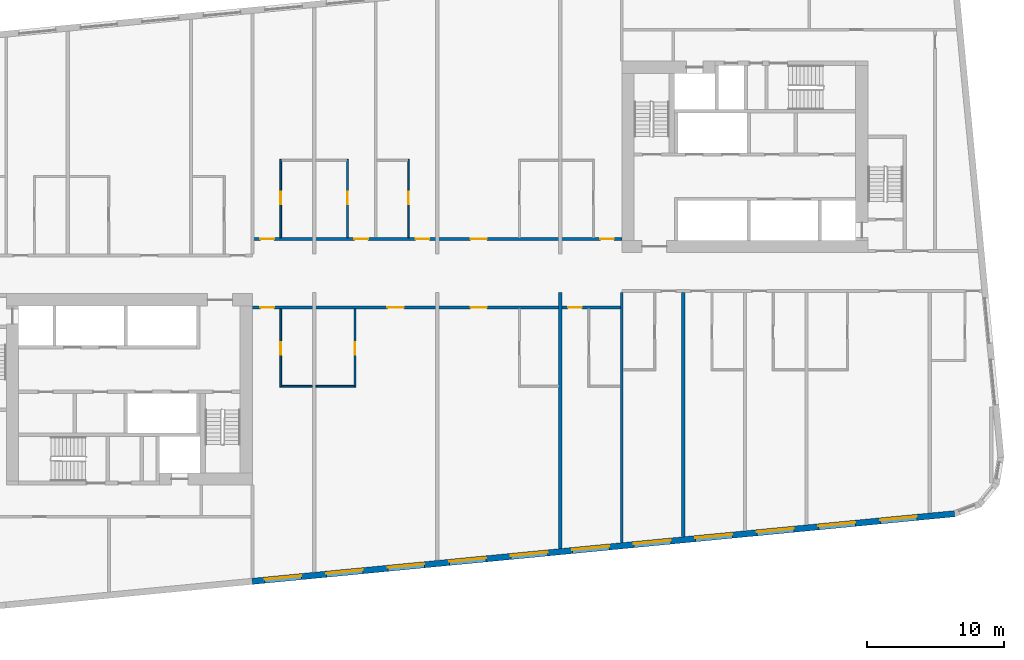
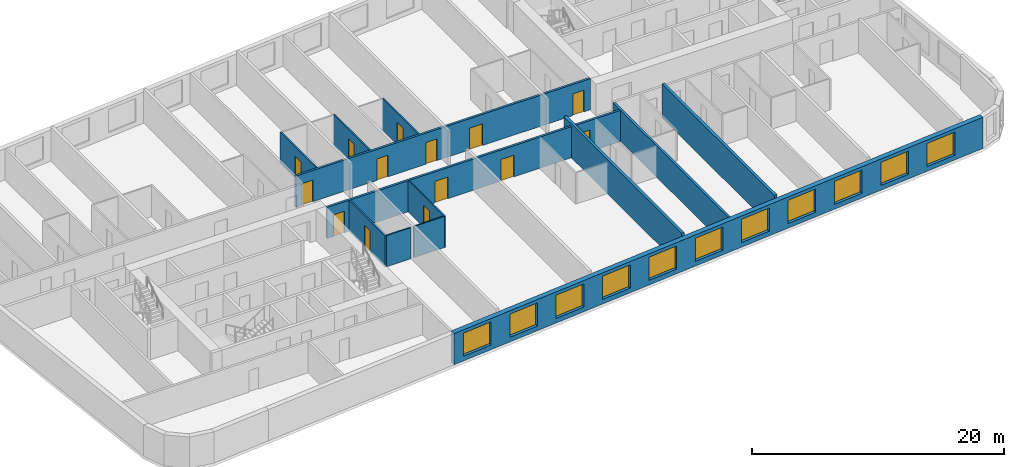
# One storey, part 4 of 12: 14 doors, 13 walls, 11 windows, 25 openings.
"""IFC4 building model written with IfcOpenShell, lengths in metres."""

from ifc_helpers import new_model, si_unit, direction, frame, frame_2d, origin, place, context, subcontext, project, spatial, rectangle, extrude, material, layer, layer_set, type_object, element, fill, save


model = new_model("IFC4")

# Units and contexts
model_context = context("Model", 3, precision=1e-05, world=origin(), true_north=direction((0.0, 1.0)))
body_context = subcontext(model_context, "Body", "Model", "MODEL_VIEW")
ifc_project = project(units=[si_unit("LENGTHUNIT", "METRE"), si_unit("AREAUNIT", "SQUARE_METRE"), si_unit("VOLUMEUNIT", "CUBIC_METRE"), si_unit("PLANEANGLEUNIT", "RADIAN"), si_unit("MASSUNIT", "GRAM", prefix="KILO")], contexts=[model_context])

# Site, building, storey
site_placement = place(None, origin())
site = spatial("IfcSite", under=ifc_project, at=site_placement, CompositionType="ELEMENT")
building_placement = place(site_placement, origin())
building = spatial("IfcBuilding", under=site, at=building_placement, Name="Kajstack Hotel Tower", CompositionType="ELEMENT")
storey_placement = place(building_placement, frame((0.0, 0.0, 170.199951171875)))
storey = spatial("IfcBuildingStorey", under=building, at=storey_placement, Name="L39", CompositionType="ELEMENT", Elevation=170.199951171875)

# Wall, openings, doors
ifc_material_1 = material(Name="Gypsum board on steel studs, mineral wool", Category="steel")
ifc_layer_1 = layer(ifc_material_1, 0.199951171875)
ifc_layer_set_1 = layer_set([ifc_layer_1], Name="Corridor wall 200")
wall_type_1 = type_object("IfcWallType", Name="Corridor wall 200", PredefinedType="PARTITIONING", material=ifc_layer_set_1)
wall_1_placement = place(storey_placement, frame((-13.5, 2.5, 0.0), z_axis=(0.0, 0.0, 1.0), x_axis=(1.0, 0.0, 0.0)))
wall_1 = element("IfcWall", 1, at=wall_1_placement, inside=storey, type_object=wall_type_1, Name="G-wall-L39-004", PredefinedType="PARTITIONING", context=body_context, shape_type="SweptSolid", body=[
    extrude(rectangle(XDim=27.0, YDim=0.199951171875, at=frame_2d((13.5, 0.0))), origin(), (0.0, 0.0, 1.0), 3.02001953125),
])
opening_1_placement = place(wall_1_placement, frame((0.574951171875, 0.0, 0.0)))
opening_1 = element("IfcOpeningElement", 2, at=opening_1_placement, cuts=wall_1, Name="Opening 39013", PredefinedType="OPENING", context=body_context, shape_type="SweptSolid", body=[
    extrude(rectangle(XDim=1.0, YDim=2.10009765625, at=frame_2d((0.5, 1.050048828125))), frame((0.0, 0.10986328125, 0.0), z_axis=(0.0, -1.0, 0.0), x_axis=(1.0, 0.0, 0.0)), (0.0, 0.0, 1.0), 0.219970703125),
])
opening_2_placement = place(wall_1_placement, frame((7.449951171875, 0.0, 0.0)))
opening_2 = element("IfcOpeningElement", 3, at=opening_2_placement, cuts=wall_1, Name="Opening 39015", PredefinedType="OPENING", context=body_context, shape_type="SweptSolid", body=[
    extrude(rectangle(XDim=1.0, YDim=2.10009765625, at=frame_2d((0.5, 1.050048828125))), frame((0.0, 0.10986328125, 0.0), z_axis=(0.0, -1.0, 0.0), x_axis=(1.0, 0.0, 0.0)), (0.0, 0.0, 1.0), 0.219970703125),
])
opening_3_placement = place(wall_1_placement, frame((11.925048828125, 0.0, 0.0)))
opening_3 = element("IfcOpeningElement", 4, at=opening_3_placement, cuts=wall_1, Name="Opening 39017", PredefinedType="OPENING", context=body_context, shape_type="SweptSolid", body=[
    extrude(rectangle(XDim=1.0, YDim=2.10009765625, at=frame_2d((0.5, 1.050048828125))), frame((0.0, 0.10986328125, 0.0), z_axis=(0.0, -1.0, 0.0), x_axis=(1.0, 0.0, 0.0)), (0.0, 0.0, 1.0), 0.219970703125),
])
opening_4_placement = place(wall_1_placement, frame((15.93798828125, 0.0, 0.0)))
opening_4 = element("IfcOpeningElement", 5, at=opening_4_placement, cuts=wall_1, Name="Opening 39019", PredefinedType="OPENING", context=body_context, shape_type="SweptSolid", body=[
    extrude(rectangle(XDim=1.199951171875, YDim=2.10009765625, at=frame_2d((0.60009765625, 1.050048828125))), frame((0.0, 0.10986328125, 0.0), z_axis=(0.0, -1.0, 0.0), x_axis=(1.0, 0.0, 0.0)), (0.0, 0.0, 1.0), 0.219970703125),
])
opening_5_placement = place(wall_1_placement, frame((25.425048828125, 0.0, 0.0)))
opening_5 = element("IfcOpeningElement", 6, at=opening_5_placement, cuts=wall_1, Name="Opening 39021", PredefinedType="OPENING", context=body_context, shape_type="SweptSolid", body=[
    extrude(rectangle(XDim=1.0, YDim=2.10009765625, at=frame_2d((0.5, 1.050048828125))), frame((0.0, 0.10986328125, 0.0), z_axis=(0.0, -1.0, 0.0), x_axis=(1.0, 0.0, 0.0)), (0.0, 0.0, 1.0), 0.219970703125),
])
ifc_material_2 = material(Name="Oak veneer on timber core, fire-rated leaf", Category="wood")
door_type_1 = type_object("IfcDoorType", Name="Flat entrance door 1000", OperationType="SINGLE_SWING_LEFT", PredefinedType="DOOR", material=ifc_material_2)
door_1_placement = place(opening_1_placement, origin())
door_1 = element("IfcDoor", 7, at=door_1_placement, inside=storey, type_object=door_type_1, Name="G-door-L39-13", OperationType="SINGLE_SWING_RIGHT", OverallHeight=2.10009765625, OverallWidth=1.0, PredefinedType="DOOR", context=body_context, shape_type="SweptSolid", body=[
    extrude(rectangle(XDim=1.0, YDim=2.10009765625, at=frame_2d((0.5, 1.050048828125))), frame((0.0, 0.02490234375, 0.0), z_axis=(0.0, -1.0, 0.0), x_axis=(1.0, 0.0, 0.0)), (0.0, 0.0, 1.0), 0.050048828125),
])
fill(opening_1, door_1)
door_2_placement = place(opening_2_placement, origin())
door_2 = element("IfcDoor", 8, at=door_2_placement, inside=storey, type_object=door_type_1, Name="G-door-L39-15", OperationType="SINGLE_SWING_LEFT", OverallHeight=2.10009765625, OverallWidth=1.0, PredefinedType="DOOR", context=body_context, shape_type="SweptSolid", body=[
    extrude(rectangle(XDim=1.0, YDim=2.10009765625, at=frame_2d((0.5, 1.050048828125))), frame((0.0, 0.02490234375, 0.0), z_axis=(0.0, -1.0, 0.0), x_axis=(1.0, 0.0, 0.0)), (0.0, 0.0, 1.0), 0.050048828125),
])
fill(opening_2, door_2)
door_3_placement = place(opening_3_placement, origin())
door_3 = element("IfcDoor", 9, at=door_3_placement, inside=storey, type_object=door_type_1, Name="G-door-L39-17", OperationType="SINGLE_SWING_RIGHT", OverallHeight=2.10009765625, OverallWidth=1.0, PredefinedType="DOOR", context=body_context, shape_type="SweptSolid", body=[
    extrude(rectangle(XDim=1.0, YDim=2.10009765625, at=frame_2d((0.5, 1.050048828125))), frame((0.0, 0.02490234375, 0.0), z_axis=(0.0, -1.0, 0.0), x_axis=(1.0, 0.0, 0.0)), (0.0, 0.0, 1.0), 0.050048828125),
])
fill(opening_3, door_3)
door_4_placement = place(opening_5_placement, origin())
door_4 = element("IfcDoor", 10, at=door_4_placement, inside=storey, type_object=door_type_1, Name="G-door-L39-21", OperationType="SINGLE_SWING_LEFT", OverallHeight=2.10009765625, OverallWidth=1.0, PredefinedType="DOOR", context=body_context, shape_type="SweptSolid", body=[
    extrude(rectangle(XDim=1.0, YDim=2.10009765625, at=frame_2d((0.5, 1.050048828125))), frame((0.0, 0.02490234375, 0.0), z_axis=(0.0, -1.0, 0.0), x_axis=(1.0, 0.0, 0.0)), (0.0, 0.0, 1.0), 0.050048828125),
])
fill(opening_5, door_4)
door_type_2 = type_object("IfcDoorType", Name="Flat entrance door 1200", OperationType="SINGLE_SWING_LEFT", PredefinedType="DOOR", material=ifc_material_2)
door_5_placement = place(opening_4_placement, origin())
door_5 = element("IfcDoor", 11, at=door_5_placement, inside=storey, type_object=door_type_2, Name="G-door-L39-19", OperationType="SINGLE_SWING_RIGHT", OverallHeight=2.10009765625, OverallWidth=1.199951171875, PredefinedType="DOOR", context=body_context, shape_type="SweptSolid", body=[
    extrude(rectangle(XDim=1.199951171875, YDim=2.10009765625, at=frame_2d((0.60009765625, 1.050048828125))), frame((0.0, 0.02490234375, 0.0), z_axis=(0.0, -1.0, 0.0), x_axis=(1.0, 0.0, 0.0)), (0.0, 0.0, 1.0), 0.050048828125),
])
fill(opening_4, door_5)

wall_2_placement = place(storey_placement, frame((-13.5, -2.5, 0.0), z_axis=(0.0, 0.0, 1.0), x_axis=(1.0, 0.0, 0.0)))
wall_2 = element("IfcWall", 12, at=wall_2_placement, inside=storey, type_object=wall_type_1, Name="G-wall-L39-031", PredefinedType="PARTITIONING", context=body_context, shape_type="SweptSolid", body=[
    extrude(rectangle(XDim=27.0, YDim=0.199951171875, at=frame_2d((13.5, 0.0))), origin(), (0.0, 0.0, 1.0), 3.02001953125),
])
opening_6_placement = place(wall_2_placement, frame((0.574951171875, 0.0, 0.0)))
opening_6 = element("IfcOpeningElement", 13, at=opening_6_placement, cuts=wall_2, Name="Opening 39023", PredefinedType="OPENING", context=body_context, shape_type="SweptSolid", body=[
    extrude(rectangle(XDim=1.0, YDim=2.10009765625, at=frame_2d((0.5, 1.050048828125))), frame((0.0, 0.10986328125, 0.0), z_axis=(0.0, -1.0, 0.0), x_axis=(1.0, 0.0, 0.0)), (0.0, 0.0, 1.0), 0.219970703125),
])
opening_7_placement = place(wall_2_placement, frame((9.863037109375, 0.0, 0.0)))
opening_7 = element("IfcOpeningElement", 14, at=opening_7_placement, cuts=wall_2, Name="Opening 39025", PredefinedType="OPENING", context=body_context, shape_type="SweptSolid", body=[
    extrude(rectangle(XDim=1.199951171875, YDim=2.10009765625, at=frame_2d((0.60009765625, 1.050048828125))), frame((0.0, 0.10986328125, 0.0), z_axis=(0.0, -1.0, 0.0), x_axis=(1.0, 0.0, 0.0)), (0.0, 0.0, 1.0), 0.219970703125),
])
opening_8_placement = place(wall_2_placement, frame((15.93798828125, 0.0, 0.0)))
opening_8 = element("IfcOpeningElement", 15, at=opening_8_placement, cuts=wall_2, Name="Opening 39027", PredefinedType="OPENING", context=body_context, shape_type="SweptSolid", body=[
    extrude(rectangle(XDim=1.199951171875, YDim=2.10009765625, at=frame_2d((0.60009765625, 1.050048828125))), frame((0.0, 0.10986328125, 0.0), z_axis=(0.0, -1.0, 0.0), x_axis=(1.0, 0.0, 0.0)), (0.0, 0.0, 1.0), 0.219970703125),
])
opening_9_placement = place(wall_2_placement, frame((23.074951171875, 0.0, 0.0)))
opening_9 = element("IfcOpeningElement", 16, at=opening_9_placement, cuts=wall_2, Name="Opening 39029", PredefinedType="OPENING", context=body_context, shape_type="SweptSolid", body=[
    extrude(rectangle(XDim=1.0, YDim=2.10009765625, at=frame_2d((0.5, 1.050048828125))), frame((0.0, 0.10986328125, 0.0), z_axis=(0.0, -1.0, 0.0), x_axis=(1.0, 0.0, 0.0)), (0.0, 0.0, 1.0), 0.219970703125),
])
door_6_placement = place(opening_6_placement, origin())
door_6 = element("IfcDoor", 17, at=door_6_placement, inside=storey, type_object=door_type_1, Name="G-door-L39-23", OperationType="SINGLE_SWING_LEFT", OverallHeight=2.10009765625, OverallWidth=1.0, PredefinedType="DOOR", context=body_context, shape_type="SweptSolid", body=[
    extrude(rectangle(XDim=1.0, YDim=2.10009765625, at=frame_2d((0.5, 1.050048828125))), frame((0.0, 0.02490234375, 0.0), z_axis=(0.0, -1.0, 0.0), x_axis=(1.0, 0.0, 0.0)), (0.0, 0.0, 1.0), 0.050048828125),
])
fill(opening_6, door_6)
door_7_placement = place(opening_9_placement, origin())
door_7 = element("IfcDoor", 18, at=door_7_placement, inside=storey, type_object=door_type_1, Name="G-door-L39-29", OperationType="SINGLE_SWING_RIGHT", OverallHeight=2.10009765625, OverallWidth=1.0, PredefinedType="DOOR", context=body_context, shape_type="SweptSolid", body=[
    extrude(rectangle(XDim=1.0, YDim=2.10009765625, at=frame_2d((0.5, 1.050048828125))), frame((0.0, 0.02490234375, 0.0), z_axis=(0.0, -1.0, 0.0), x_axis=(1.0, 0.0, 0.0)), (0.0, 0.0, 1.0), 0.050048828125),
])
fill(opening_9, door_7)
door_8_placement = place(opening_7_placement, origin())
door_8 = element("IfcDoor", 19, at=door_8_placement, inside=storey, type_object=door_type_2, Name="G-door-L39-25", OperationType="SINGLE_SWING_LEFT", OverallHeight=2.10009765625, OverallWidth=1.199951171875, PredefinedType="DOOR", context=body_context, shape_type="SweptSolid", body=[
    extrude(rectangle(XDim=1.199951171875, YDim=2.10009765625, at=frame_2d((0.60009765625, 1.050048828125))), frame((0.0, 0.02490234375, 0.0), z_axis=(0.0, -1.0, 0.0), x_axis=(1.0, 0.0, 0.0)), (0.0, 0.0, 1.0), 0.050048828125),
])
fill(opening_7, door_8)
door_9_placement = place(opening_8_placement, origin())
door_9 = element("IfcDoor", 20, at=door_9_placement, inside=storey, type_object=door_type_2, Name="G-door-L39-27", OperationType="SINGLE_SWING_LEFT", OverallHeight=2.10009765625, OverallWidth=1.199951171875, PredefinedType="DOOR", context=body_context, shape_type="SweptSolid", body=[
    extrude(rectangle(XDim=1.199951171875, YDim=2.10009765625, at=frame_2d((0.60009765625, 1.050048828125))), frame((0.0, 0.02490234375, 0.0), z_axis=(0.0, -1.0, 0.0), x_axis=(1.0, 0.0, 0.0)), (0.0, 0.0, 1.0), 0.050048828125),
])
fill(opening_8, door_9)

# Wall
ifc_material_3 = material(Name="Twin-frame gypsum board on steel studs, mineral wool", Category="steel")
ifc_layer_2 = layer(ifc_material_3, 0.199951171875)
ifc_layer_set_2 = layer_set([ifc_layer_2], Name="Demising wall 200")
wall_type_2 = type_object("IfcWallType", Name="Demising wall 200", PredefinedType="PARTITIONING", material=ifc_layer_set_2)
wall_3_placement = place(storey_placement, frame((13.5, -19.700927734375, 0.0), z_axis=(0.0, 0.0, 1.0), x_axis=(0.0, 1.0, 0.0)))
element("IfcWall", 21, at=wall_3_placement, inside=storey, type_object=wall_type_2, Name="G-wall-L39-039", PredefinedType="PARTITIONING", context=body_context, shape_type="SweptSolid", body=[
    extrude(rectangle(XDim=18.301025390625, YDim=0.199951171875, at=frame_2d((9.150390625, 0.0))), origin(), (0.0, 0.0, 1.0), 3.02001953125),
])

# Wall, openings, windows
ifc_material_4 = material(Name="Terracotta-faced brick masonry", Category="masonry")
ifc_layer_3 = layer(ifc_material_4, 0.449951171875)
ifc_layer_set_3 = layer_set([ifc_layer_3], Name="EW-TERRA")
wall_type_3 = type_object("IfcWallType", Name="EW-TERRA", PredefinedType="SOLIDWALL", material=ifc_layer_set_3)
wall_4_placement = place(storey_placement, frame((-13.521484375, -22.528564453125, 0.0), z_axis=(0.0, 0.0, 1.0), x_axis=(0.995396436651, 0.095843277819, 0.0)))
wall_4 = element("IfcWall", 22, at=wall_4_placement, inside=storey, type_object=wall_type_3, Name="E-wall-L39-04-02", PredefinedType="SOLIDWALL", context=body_context, shape_type="SweptSolid", body=[
    extrude(rectangle(XDim=51.57763671875, YDim=0.449951171875, at=frame_2d((25.788818359375, 0.0))), origin(), (0.0, 0.0, 1.0), 3.02001953125),
])
opening_10_placement = place(wall_4_placement, frame((0.910400390625, 0.0, 0.449951171875)))
opening_10 = element("IfcOpeningElement", 23, at=opening_10_placement, cuts=wall_4, Name="Opening W1", PredefinedType="OPENING", context=body_context, shape_type="SweptSolid", body=[
    extrude(rectangle(XDim=2.699951171875, YDim=2.25, at=frame_2d((1.35009765625, 1.125))), frame((0.0, 0.23486328125, 0.0), z_axis=(0.0, -1.0, 0.0), x_axis=(1.0, 0.0, 0.0)), (0.0, 0.0, 1.0), 0.469970703125),
])
opening_11_placement = place(wall_4_placement, frame((5.431396484375, 0.0, 0.449951171875)))
opening_11 = element("IfcOpeningElement", 24, at=opening_11_placement, cuts=wall_4, Name="Opening W1", PredefinedType="OPENING", context=body_context, shape_type="SweptSolid", body=[
    extrude(rectangle(XDim=2.699951171875, YDim=2.25, at=frame_2d((1.35009765625, 1.125))), frame((0.0, 0.23486328125, 0.0), z_axis=(0.0, -1.0, 0.0), x_axis=(1.0, 0.0, 0.0)), (0.0, 0.0, 1.0), 0.469970703125),
])
opening_12_placement = place(wall_4_placement, frame((9.9521484375, 0.0, 0.449951171875)))
opening_12 = element("IfcOpeningElement", 25, at=opening_12_placement, cuts=wall_4, Name="Opening W1", PredefinedType="OPENING", context=body_context, shape_type="SweptSolid", body=[
    extrude(rectangle(XDim=2.699951171875, YDim=2.25, at=frame_2d((1.35009765625, 1.125))), frame((0.0, 0.23486328125, 0.0), z_axis=(0.0, -1.0, 0.0), x_axis=(1.0, 0.0, 0.0)), (0.0, 0.0, 1.0), 0.469970703125),
])
opening_13_placement = place(wall_4_placement, frame((14.472900390625, 0.0, 0.449951171875)))
opening_13 = element("IfcOpeningElement", 26, at=opening_13_placement, cuts=wall_4, Name="Opening W1", PredefinedType="OPENING", context=body_context, shape_type="SweptSolid", body=[
    extrude(rectangle(XDim=2.699951171875, YDim=2.25, at=frame_2d((1.35009765625, 1.125))), frame((0.0, 0.23486328125, 0.0), z_axis=(0.0, -1.0, 0.0), x_axis=(1.0, 0.0, 0.0)), (0.0, 0.0, 1.0), 0.469970703125),
])
opening_14_placement = place(wall_4_placement, frame((18.99365234375, 0.0, 0.449951171875)))
opening_14 = element("IfcOpeningElement", 27, at=opening_14_placement, cuts=wall_4, Name="Opening W1", PredefinedType="OPENING", context=body_context, shape_type="SweptSolid", body=[
    extrude(rectangle(XDim=2.699951171875, YDim=2.25, at=frame_2d((1.35009765625, 1.125))), frame((0.0, 0.23486328125, 0.0), z_axis=(0.0, -1.0, 0.0), x_axis=(1.0, 0.0, 0.0)), (0.0, 0.0, 1.0), 0.469970703125),
])
opening_15_placement = place(wall_4_placement, frame((23.514404296875, 0.0, 0.449951171875)))
opening_15 = element("IfcOpeningElement", 28, at=opening_15_placement, cuts=wall_4, Name="Opening W1", PredefinedType="OPENING", context=body_context, shape_type="SweptSolid", body=[
    extrude(rectangle(XDim=2.699951171875, YDim=2.25, at=frame_2d((1.35009765625, 1.125))), frame((0.0, 0.23486328125, 0.0), z_axis=(0.0, -1.0, 0.0), x_axis=(1.0, 0.0, 0.0)), (0.0, 0.0, 1.0), 0.469970703125),
])
opening_16_placement = place(wall_4_placement, frame((28.035400390625, 0.0, 0.449951171875)))
opening_16 = element("IfcOpeningElement", 29, at=opening_16_placement, cuts=wall_4, Name="Opening W1", PredefinedType="OPENING", context=body_context, shape_type="SweptSolid", body=[
    extrude(rectangle(XDim=2.699951171875, YDim=2.25, at=frame_2d((1.35009765625, 1.125))), frame((0.0, 0.23486328125, 0.0), z_axis=(0.0, -1.0, 0.0), x_axis=(1.0, 0.0, 0.0)), (0.0, 0.0, 1.0), 0.469970703125),
])
opening_17_placement = place(wall_4_placement, frame((32.55615234375, 0.0, 0.449951171875)))
opening_17 = element("IfcOpeningElement", 30, at=opening_17_placement, cuts=wall_4, Name="Opening W1", PredefinedType="OPENING", context=body_context, shape_type="SweptSolid", body=[
    extrude(rectangle(XDim=2.699951171875, YDim=2.25, at=frame_2d((1.35009765625, 1.125))), frame((0.0, 0.23486328125, 0.0), z_axis=(0.0, -1.0, 0.0), x_axis=(1.0, 0.0, 0.0)), (0.0, 0.0, 1.0), 0.469970703125),
])
opening_18_placement = place(wall_4_placement, frame((37.076904296875, 0.0, 0.449951171875)))
opening_18 = element("IfcOpeningElement", 31, at=opening_18_placement, cuts=wall_4, Name="Opening W1", PredefinedType="OPENING", context=body_context, shape_type="SweptSolid", body=[
    extrude(rectangle(XDim=2.699951171875, YDim=2.25, at=frame_2d((1.35009765625, 1.125))), frame((0.0, 0.23486328125, 0.0), z_axis=(0.0, -1.0, 0.0), x_axis=(1.0, 0.0, 0.0)), (0.0, 0.0, 1.0), 0.469970703125),
])
opening_19_placement = place(wall_4_placement, frame((41.597900390625, 0.0, 0.449951171875)))
opening_19 = element("IfcOpeningElement", 32, at=opening_19_placement, cuts=wall_4, Name="Opening W1", PredefinedType="OPENING", context=body_context, shape_type="SweptSolid", body=[
    extrude(rectangle(XDim=2.699951171875, YDim=2.25, at=frame_2d((1.35009765625, 1.125))), frame((0.0, 0.23486328125, 0.0), z_axis=(0.0, -1.0, 0.0), x_axis=(1.0, 0.0, 0.0)), (0.0, 0.0, 1.0), 0.469970703125),
])
opening_20_placement = place(wall_4_placement, frame((46.11865234375, 0.0, 0.449951171875)))
opening_20 = element("IfcOpeningElement", 33, at=opening_20_placement, cuts=wall_4, Name="Opening W1", PredefinedType="OPENING", context=body_context, shape_type="SweptSolid", body=[
    extrude(rectangle(XDim=2.699951171875, YDim=2.25, at=frame_2d((1.35009765625, 1.125))), frame((0.0, 0.23486328125, 0.0), z_axis=(0.0, -1.0, 0.0), x_axis=(1.0, 0.0, 0.0)), (0.0, 0.0, 1.0), 0.469970703125),
])
ifc_material_5 = material(Name="Timber-aluminium window, triple glazed", Category="wood")
window_type = type_object("IfcWindowType", Name="WG1", PartitioningType="SINGLE_PANEL", PredefinedType="WINDOW", material=ifc_material_5)
window_1_placement = place(opening_10_placement, origin())
window_1 = element("IfcWindow", 34, at=window_1_placement, inside=storey, type_object=window_type, Name="Window W1 L39-04", OverallHeight=2.25, OverallWidth=2.699951171875, PartitioningType="SINGLE_PANEL", PredefinedType="WINDOW", context=body_context, shape_type="SweptSolid", body=[
    extrude(rectangle(XDim=2.699951171875, YDim=2.25, at=frame_2d((1.35009765625, 1.125))), frame((0.0, 0.090087890625, 0.0), z_axis=(0.0, -1.0, 0.0), x_axis=(1.0, 0.0, 0.0)), (0.0, 0.0, 1.0), 0.06005859375),
])
fill(opening_10, window_1)
window_2_placement = place(opening_11_placement, origin())
window_2 = element("IfcWindow", 35, at=window_2_placement, inside=storey, type_object=window_type, Name="Window W1 L39-04", OverallHeight=2.25, OverallWidth=2.699951171875, PartitioningType="SINGLE_PANEL", PredefinedType="WINDOW", context=body_context, shape_type="SweptSolid", body=[
    extrude(rectangle(XDim=2.699951171875, YDim=2.25, at=frame_2d((1.35009765625, 1.125))), frame((0.0, 0.090087890625, 0.0), z_axis=(0.0, -1.0, 0.0), x_axis=(1.0, 0.0, 0.0)), (0.0, 0.0, 1.0), 0.06005859375),
])
fill(opening_11, window_2)
window_3_placement = place(opening_12_placement, origin())
window_3 = element("IfcWindow", 36, at=window_3_placement, inside=storey, type_object=window_type, Name="Window W1 L39-04", OverallHeight=2.25, OverallWidth=2.699951171875, PartitioningType="SINGLE_PANEL", PredefinedType="WINDOW", context=body_context, shape_type="SweptSolid", body=[
    extrude(rectangle(XDim=2.699951171875, YDim=2.25, at=frame_2d((1.35009765625, 1.125))), frame((0.0, 0.090087890625, 0.0), z_axis=(0.0, -1.0, 0.0), x_axis=(1.0, 0.0, 0.0)), (0.0, 0.0, 1.0), 0.06005859375),
])
fill(opening_12, window_3)
window_4_placement = place(opening_13_placement, origin())
window_4 = element("IfcWindow", 37, at=window_4_placement, inside=storey, type_object=window_type, Name="Window W1 L39-04", OverallHeight=2.25, OverallWidth=2.699951171875, PartitioningType="SINGLE_PANEL", PredefinedType="WINDOW", context=body_context, shape_type="SweptSolid", body=[
    extrude(rectangle(XDim=2.699951171875, YDim=2.25, at=frame_2d((1.35009765625, 1.125))), frame((0.0, 0.090087890625, 0.0), z_axis=(0.0, -1.0, 0.0), x_axis=(1.0, 0.0, 0.0)), (0.0, 0.0, 1.0), 0.06005859375),
])
fill(opening_13, window_4)
window_5_placement = place(opening_14_placement, origin())
window_5 = element("IfcWindow", 38, at=window_5_placement, inside=storey, type_object=window_type, Name="Window W1 L39-04", OverallHeight=2.25, OverallWidth=2.699951171875, PartitioningType="SINGLE_PANEL", PredefinedType="WINDOW", context=body_context, shape_type="SweptSolid", body=[
    extrude(rectangle(XDim=2.699951171875, YDim=2.25, at=frame_2d((1.35009765625, 1.125))), frame((0.0, 0.090087890625, 0.0), z_axis=(0.0, -1.0, 0.0), x_axis=(1.0, 0.0, 0.0)), (0.0, 0.0, 1.0), 0.06005859375),
])
fill(opening_14, window_5)
window_6_placement = place(opening_15_placement, origin())
window_6 = element("IfcWindow", 39, at=window_6_placement, inside=storey, type_object=window_type, Name="Window W1 L39-04", OverallHeight=2.25, OverallWidth=2.699951171875, PartitioningType="SINGLE_PANEL", PredefinedType="WINDOW", context=body_context, shape_type="SweptSolid", body=[
    extrude(rectangle(XDim=2.699951171875, YDim=2.25, at=frame_2d((1.35009765625, 1.125))), frame((0.0, 0.090087890625, 0.0), z_axis=(0.0, -1.0, 0.0), x_axis=(1.0, 0.0, 0.0)), (0.0, 0.0, 1.0), 0.06005859375),
])
fill(opening_15, window_6)
window_7_placement = place(opening_16_placement, origin())
window_7 = element("IfcWindow", 40, at=window_7_placement, inside=storey, type_object=window_type, Name="Window W1 L39-04", OverallHeight=2.25, OverallWidth=2.699951171875, PartitioningType="SINGLE_PANEL", PredefinedType="WINDOW", context=body_context, shape_type="SweptSolid", body=[
    extrude(rectangle(XDim=2.699951171875, YDim=2.25, at=frame_2d((1.35009765625, 1.125))), frame((0.0, 0.090087890625, 0.0), z_axis=(0.0, -1.0, 0.0), x_axis=(1.0, 0.0, 0.0)), (0.0, 0.0, 1.0), 0.06005859375),
])
fill(opening_16, window_7)
window_8_placement = place(opening_17_placement, origin())
window_8 = element("IfcWindow", 41, at=window_8_placement, inside=storey, type_object=window_type, Name="Window W1 L39-04", OverallHeight=2.25, OverallWidth=2.699951171875, PartitioningType="SINGLE_PANEL", PredefinedType="WINDOW", context=body_context, shape_type="SweptSolid", body=[
    extrude(rectangle(XDim=2.699951171875, YDim=2.25, at=frame_2d((1.35009765625, 1.125))), frame((0.0, 0.090087890625, 0.0), z_axis=(0.0, -1.0, 0.0), x_axis=(1.0, 0.0, 0.0)), (0.0, 0.0, 1.0), 0.06005859375),
])
fill(opening_17, window_8)
window_9_placement = place(opening_18_placement, origin())
window_9 = element("IfcWindow", 42, at=window_9_placement, inside=storey, type_object=window_type, Name="Window W1 L39-04", OverallHeight=2.25, OverallWidth=2.699951171875, PartitioningType="SINGLE_PANEL", PredefinedType="WINDOW", context=body_context, shape_type="SweptSolid", body=[
    extrude(rectangle(XDim=2.699951171875, YDim=2.25, at=frame_2d((1.35009765625, 1.125))), frame((0.0, 0.090087890625, 0.0), z_axis=(0.0, -1.0, 0.0), x_axis=(1.0, 0.0, 0.0)), (0.0, 0.0, 1.0), 0.06005859375),
])
fill(opening_18, window_9)
window_10_placement = place(opening_19_placement, origin())
window_10 = element("IfcWindow", 43, at=window_10_placement, inside=storey, type_object=window_type, Name="Window W1 L39-04", OverallHeight=2.25, OverallWidth=2.699951171875, PartitioningType="SINGLE_PANEL", PredefinedType="WINDOW", context=body_context, shape_type="SweptSolid", body=[
    extrude(rectangle(XDim=2.699951171875, YDim=2.25, at=frame_2d((1.35009765625, 1.125))), frame((0.0, 0.090087890625, 0.0), z_axis=(0.0, -1.0, 0.0), x_axis=(1.0, 0.0, 0.0)), (0.0, 0.0, 1.0), 0.06005859375),
])
fill(opening_19, window_10)
window_11_placement = place(opening_20_placement, origin())
window_11 = element("IfcWindow", 44, at=window_11_placement, inside=storey, type_object=window_type, Name="Window W1 L39-04", OverallHeight=2.25, OverallWidth=2.699951171875, PartitioningType="SINGLE_PANEL", PredefinedType="WINDOW", context=body_context, shape_type="SweptSolid", body=[
    extrude(rectangle(XDim=2.699951171875, YDim=2.25, at=frame_2d((1.35009765625, 1.125))), frame((0.0, 0.090087890625, 0.0), z_axis=(0.0, -1.0, 0.0), x_axis=(1.0, 0.0, 0.0)), (0.0, 0.0, 1.0), 0.06005859375),
])
fill(opening_20, window_11)

# Wall, opening, door
ifc_material_6 = material(Name="Gypsum board and tiled backer on steel studs", Category="steel")
ifc_layer_4 = layer(ifc_material_6, 0.125)
ifc_layer_set_4 = layer_set([ifc_layer_4], Name="En-suite wall 125")
wall_type_4 = type_object("IfcWallType", Name="En-suite wall 125", PredefinedType="PARTITIONING", material=ifc_layer_set_4)
wall_5_placement = place(storey_placement, frame((-11.43798828125, 2.60009765625, 0.0), z_axis=(0.0, 0.0, 1.0), x_axis=(0.0, 1.0, 0.0)))
wall_5 = element("IfcWall", 45, at=wall_5_placement, inside=storey, type_object=wall_type_4, Name="G-wall-L39-020", PredefinedType="PARTITIONING", context=body_context, shape_type="SweptSolid", body=[
    extrude(rectangle(XDim=5.724853515625, YDim=0.125, at=frame_2d((2.8623046875, 0.0))), origin(), (0.0, 0.0, 1.0), 3.02001953125),
])
opening_21_placement = place(wall_5_placement, frame((2.449951171875, 0.0, 0.0)))
opening_21 = element("IfcOpeningElement", 46, at=opening_21_placement, cuts=wall_5, Name="Opening 39014", PredefinedType="OPENING", context=body_context, shape_type="SweptSolid", body=[
    extrude(rectangle(XDim=0.89990234375, YDim=2.10009765625, at=frame_2d((0.449951171875, 1.050048828125))), frame((0.0, 0.072509765625, 0.0), z_axis=(0.0, -1.0, 0.0), x_axis=(1.0, 0.0, 0.0)), (0.0, 0.0, 1.0), 0.14501953125),
])
ifc_material_7 = material(Name="Painted timber door leaf", Category="wood")
door_type_3 = type_object("IfcDoorType", Name="Room door 900", OperationType="SINGLE_SWING_LEFT", PredefinedType="DOOR", material=ifc_material_7)
door_10_placement = place(opening_21_placement, origin())
door_10 = element("IfcDoor", 47, at=door_10_placement, inside=storey, type_object=door_type_3, Name="G-door-L39-14", OperationType="SINGLE_SWING_LEFT", OverallHeight=2.10009765625, OverallWidth=0.89990234375, PredefinedType="DOOR", context=body_context, shape_type="SweptSolid", body=[
    extrude(rectangle(XDim=0.89990234375, YDim=2.10009765625, at=frame_2d((0.449951171875, 1.050048828125))), frame((0.0, 0.02490234375, 0.0), z_axis=(0.0, -1.0, 0.0), x_axis=(1.0, 0.0, 0.0)), (0.0, 0.0, 1.0), 0.050048828125),
])
fill(opening_21, door_10)

wall_6_placement = place(storey_placement, frame((-6.56201171875, 2.60009765625, 0.0), z_axis=(0.0, 0.0, 1.0), x_axis=(0.0, 1.0, 0.0)))
wall_6 = element("IfcWall", 48, at=wall_6_placement, inside=storey, type_object=wall_type_4, Name="G-wall-L39-023", PredefinedType="PARTITIONING", context=body_context, shape_type="SweptSolid", body=[
    extrude(rectangle(XDim=5.724853515625, YDim=0.125, at=frame_2d((2.8623046875, 0.0))), origin(), (0.0, 0.0, 1.0), 3.02001953125),
])
opening_22_placement = place(wall_6_placement, frame((2.449951171875, 0.0, 0.0)))
opening_22 = element("IfcOpeningElement", 49, at=opening_22_placement, cuts=wall_6, Name="Opening 39016", PredefinedType="OPENING", context=body_context, shape_type="SweptSolid", body=[
    extrude(rectangle(XDim=0.89990234375, YDim=2.10009765625, at=frame_2d((0.449951171875, 1.050048828125))), frame((0.0, 0.072509765625, 0.0), z_axis=(0.0, -1.0, 0.0), x_axis=(1.0, 0.0, 0.0)), (0.0, 0.0, 1.0), 0.14501953125),
])
door_11_placement = place(opening_22_placement, origin())
door_11 = element("IfcDoor", 50, at=door_11_placement, inside=storey, type_object=door_type_3, Name="G-door-L39-16", OperationType="SINGLE_SWING_LEFT", OverallHeight=2.10009765625, OverallWidth=0.89990234375, PredefinedType="DOOR", context=body_context, shape_type="SweptSolid", body=[
    extrude(rectangle(XDim=0.89990234375, YDim=2.10009765625, at=frame_2d((0.449951171875, 1.050048828125))), frame((0.0, 0.02490234375, 0.0), z_axis=(0.0, -1.0, 0.0), x_axis=(1.0, 0.0, 0.0)), (0.0, 0.0, 1.0), 0.050048828125),
])
fill(opening_22, door_11)

wall_7_placement = place(storey_placement, frame((-2.0869140625, 2.60009765625, 0.0), z_axis=(0.0, 0.0, 1.0), x_axis=(0.0, 1.0, 0.0)))
wall_7 = element("IfcWall", 51, at=wall_7_placement, inside=storey, type_object=wall_type_4, Name="G-wall-L39-025", PredefinedType="PARTITIONING", context=body_context, shape_type="SweptSolid", body=[
    extrude(rectangle(XDim=5.724853515625, YDim=0.125, at=frame_2d((2.8623046875, 0.0))), origin(), (0.0, 0.0, 1.0), 3.02001953125),
])
opening_23_placement = place(wall_7_placement, frame((2.449951171875, 0.0, 0.0)))
opening_23 = element("IfcOpeningElement", 52, at=opening_23_placement, cuts=wall_7, Name="Opening 39018", PredefinedType="OPENING", context=body_context, shape_type="SweptSolid", body=[
    extrude(rectangle(XDim=0.89990234375, YDim=2.10009765625, at=frame_2d((0.449951171875, 1.050048828125))), frame((0.0, 0.072509765625, 0.0), z_axis=(0.0, -1.0, 0.0), x_axis=(1.0, 0.0, 0.0)), (0.0, 0.0, 1.0), 0.14501953125),
])
door_12_placement = place(opening_23_placement, origin())
door_12 = element("IfcDoor", 53, at=door_12_placement, inside=storey, type_object=door_type_3, Name="G-door-L39-18", OperationType="SINGLE_SWING_LEFT", OverallHeight=2.10009765625, OverallWidth=0.89990234375, PredefinedType="DOOR", context=body_context, shape_type="SweptSolid", body=[
    extrude(rectangle(XDim=0.89990234375, YDim=2.10009765625, at=frame_2d((0.449951171875, 1.050048828125))), frame((0.0, 0.02490234375, 0.0), z_axis=(0.0, -1.0, 0.0), x_axis=(1.0, 0.0, 0.0)), (0.0, 0.0, 1.0), 0.050048828125),
])
fill(opening_23, door_12)

wall_8_placement = place(storey_placement, frame((-11.43798828125, -8.324951171875, 0.0), z_axis=(0.0, 0.0, 1.0), x_axis=(0.0, 1.0, 0.0)))
wall_8 = element("IfcWall", 54, at=wall_8_placement, inside=storey, type_object=wall_type_4, Name="G-wall-L39-033", PredefinedType="PARTITIONING", context=body_context, shape_type="SweptSolid", body=[
    extrude(rectangle(XDim=5.724853515625, YDim=0.125, at=frame_2d((2.8623046875, 0.0))), origin(), (0.0, 0.0, 1.0), 3.02001953125),
])
opening_24_placement = place(wall_8_placement, frame((2.375, 0.0, 0.0)))
opening_24 = element("IfcOpeningElement", 55, at=opening_24_placement, cuts=wall_8, Name="Opening 39024", PredefinedType="OPENING", context=body_context, shape_type="SweptSolid", body=[
    extrude(rectangle(XDim=0.89990234375, YDim=2.10009765625, at=frame_2d((0.449951171875, 1.050048828125))), frame((0.0, 0.072509765625, 0.0), z_axis=(0.0, -1.0, 0.0), x_axis=(1.0, 0.0, 0.0)), (0.0, 0.0, 1.0), 0.14501953125),
])
door_13_placement = place(opening_24_placement, origin())
door_13 = element("IfcDoor", 56, at=door_13_placement, inside=storey, type_object=door_type_3, Name="G-door-L39-24", OperationType="SINGLE_SWING_RIGHT", OverallHeight=2.10009765625, OverallWidth=0.89990234375, PredefinedType="DOOR", context=body_context, shape_type="SweptSolid", body=[
    extrude(rectangle(XDim=0.89990234375, YDim=2.10009765625, at=frame_2d((0.449951171875, 1.050048828125))), frame((0.0, 0.02490234375, 0.0), z_axis=(0.0, -1.0, 0.0), x_axis=(1.0, 0.0, 0.0)), (0.0, 0.0, 1.0), 0.050048828125),
])
fill(opening_24, door_13)

# Wall
wall_9_placement = place(storey_placement, frame((-11.375, -8.261962890625, 0.0), z_axis=(0.0, 0.0, 1.0), x_axis=(1.0, 0.0, 0.0)))
element("IfcWall", 57, at=wall_9_placement, inside=storey, type_object=wall_type_4, Name="G-wall-L39-034", PredefinedType="PARTITIONING", context=body_context, shape_type="SweptSolid", body=[
    extrude(rectangle(XDim=2.25, YDim=0.125, at=frame_2d((1.125, 0.0))), origin(), (0.0, 0.0, 1.0), 3.02001953125),
])

# Wall, opening, door
wall_10_placement = place(storey_placement, frame((-6.012939453125, -8.324951171875, 0.0), z_axis=(0.0, 0.0, 1.0), x_axis=(0.0, 1.0, 0.0)))
wall_10 = element("IfcWall", 58, at=wall_10_placement, inside=storey, type_object=wall_type_4, Name="G-wall-L39-035", PredefinedType="PARTITIONING", context=body_context, shape_type="SweptSolid", body=[
    extrude(rectangle(XDim=5.724853515625, YDim=0.125, at=frame_2d((2.8623046875, 0.0))), origin(), (0.0, 0.0, 1.0), 3.02001953125),
])
opening_25_placement = place(wall_10_placement, frame((2.375, 0.0, 0.0)))
opening_25 = element("IfcOpeningElement", 59, at=opening_25_placement, cuts=wall_10, Name="Opening 39026", PredefinedType="OPENING", context=body_context, shape_type="SweptSolid", body=[
    extrude(rectangle(XDim=0.89990234375, YDim=2.10009765625, at=frame_2d((0.449951171875, 1.050048828125))), frame((0.0, 0.072509765625, 0.0), z_axis=(0.0, -1.0, 0.0), x_axis=(1.0, 0.0, 0.0)), (0.0, 0.0, 1.0), 0.14501953125),
])
door_14_placement = place(opening_25_placement, origin())
door_14 = element("IfcDoor", 60, at=door_14_placement, inside=storey, type_object=door_type_3, Name="G-door-L39-26", OperationType="SINGLE_SWING_RIGHT", OverallHeight=2.10009765625, OverallWidth=0.89990234375, PredefinedType="DOOR", context=body_context, shape_type="SweptSolid", body=[
    extrude(rectangle(XDim=0.89990234375, YDim=2.10009765625, at=frame_2d((0.449951171875, 1.050048828125))), frame((0.0, 0.02490234375, 0.0), z_axis=(0.0, -1.0, 0.0), x_axis=(1.0, 0.0, 0.0)), (0.0, 0.0, 1.0), 0.050048828125),
])
fill(opening_25, door_14)

# Walls
wall_11_placement = place(storey_placement, frame((-8.875, -8.261962890625, 0.0), z_axis=(0.0, 0.0, 1.0), x_axis=(1.0, 0.0, 0.0)))
element("IfcWall", 61, at=wall_11_placement, inside=storey, type_object=wall_type_4, Name="G-wall-L39-036", PredefinedType="PARTITIONING", context=body_context, shape_type="SweptSolid", body=[
    extrude(rectangle(XDim=2.800048828125, YDim=0.125, at=frame_2d((1.39990234375, 0.0))), origin(), (0.0, 0.0, 1.0), 3.02001953125),
])
ifc_material_8 = material(Name="Concrete C50/60", Category="concrete")
ifc_layer_5 = layer(ifc_material_8, 0.25)
ifc_layer_set_5 = layer_set([ifc_layer_5], Name="RC cross wall 250 C50/60")
wall_type_5 = type_object("IfcWallType", Name="RC cross wall 250 C50/60", PredefinedType="SHEAR", material=ifc_layer_set_5)
wall_12_placement = place(storey_placement, frame((9.0, -20.11181640625, 0.0), z_axis=(0.0, 0.0, 1.0), x_axis=(0.0, 1.0, 0.0)))
element("IfcWall", 62, at=wall_12_placement, inside=storey, type_object=wall_type_5, Name="S-wall-L39-08", PredefinedType="SHEAR", context=body_context, shape_type="SweptSolid", body=[
    extrude(rectangle(XDim=18.7119140625, YDim=0.25, at=frame_2d((9.35595703125, 0.0))), origin(), (0.0, 0.0, 1.0), 3.300048828125),
])
wall_13_placement = place(storey_placement, frame((18.0, -19.245361328125, 0.0), z_axis=(0.0, 0.0, 1.0), x_axis=(0.0, 1.0, 0.0)))
element("IfcWall", 63, at=wall_13_placement, inside=storey, type_object=wall_type_5, Name="S-wall-L39-10", PredefinedType="SHEAR", context=body_context, shape_type="SweptSolid", body=[
    extrude(rectangle(XDim=17.845458984375, YDim=0.25, at=frame_2d((8.9228515625, 0.0))), origin(), (0.0, 0.0, 1.0), 3.300048828125),
])

save(model, "model.ifc")
